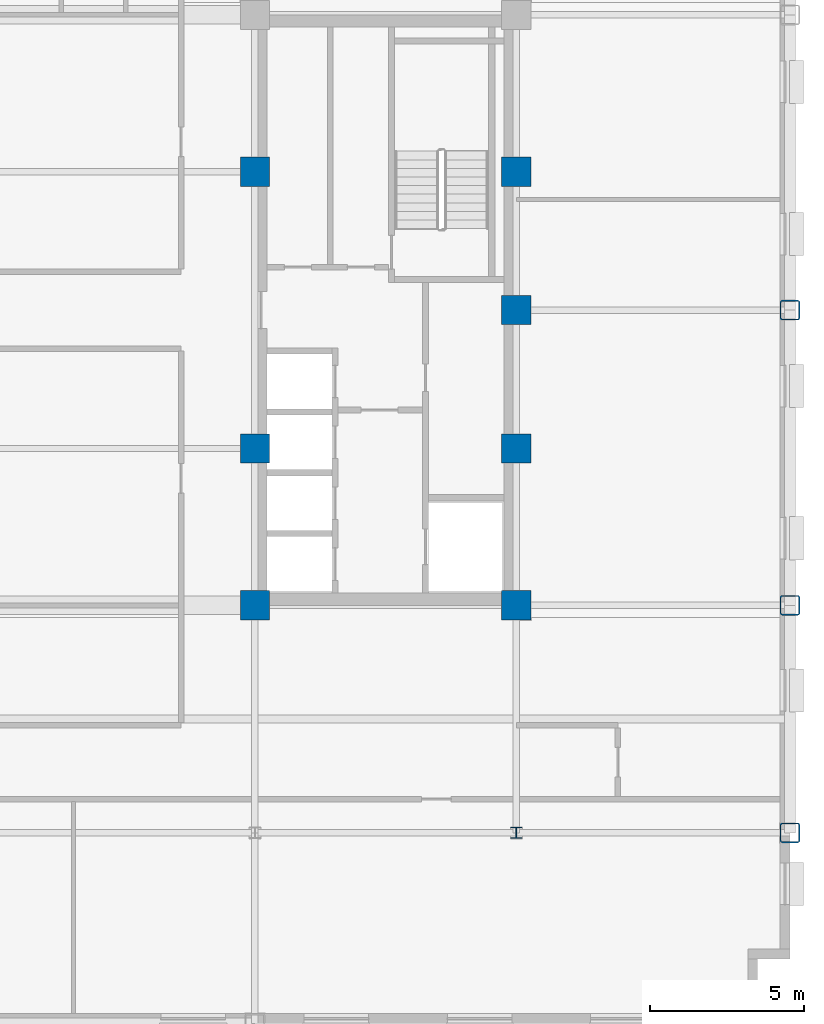
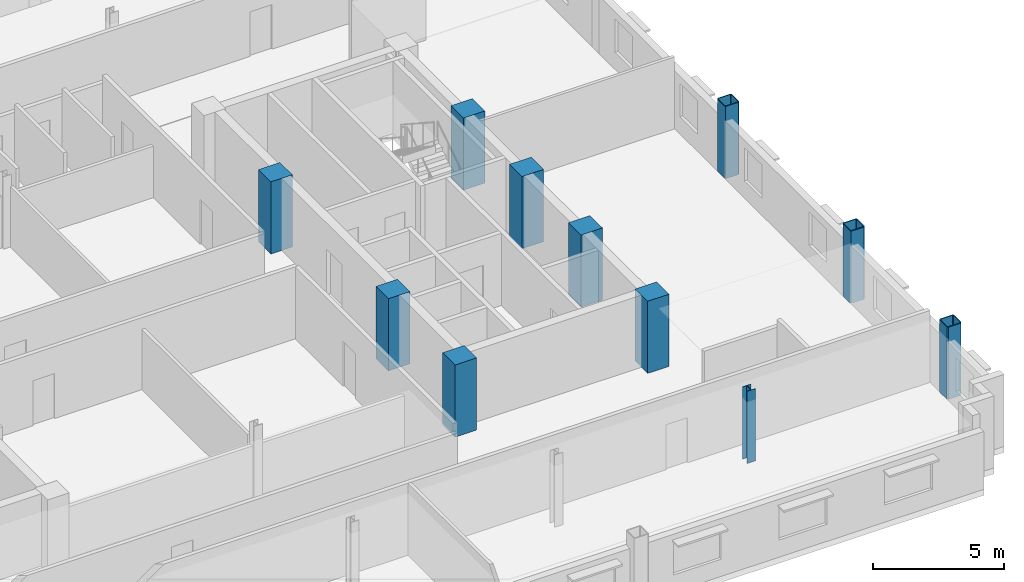
# One storey, part 2 of 14: 11 columns.
"""IFC4 building model written with IfcOpenShell, lengths in metres."""

from ifc_helpers import new_model, si_unit, direction, frame, origin, origin_2d, place, context, subcontext, project, spatial, rectangle, hollow_rectangle, i_section, extrude, material, material_profile, profile_set, type_object, element, save


model = new_model("IFC4")

# Units and contexts
model_context = context("Model", 3, precision=1e-05, world=origin(), true_north=direction((0.0, 1.0)))
body_context = subcontext(model_context, "Body", "Model", "MODEL_VIEW")
ifc_project = project(units=[si_unit("LENGTHUNIT", "METRE"), si_unit("AREAUNIT", "SQUARE_METRE"), si_unit("VOLUMEUNIT", "CUBIC_METRE"), si_unit("PLANEANGLEUNIT", "RADIAN"), si_unit("MASSUNIT", "GRAM", prefix="KILO")], contexts=[model_context])

# Site, building, storey
site_placement = place(None, origin())
site = spatial("IfcSite", under=ifc_project, at=site_placement, CompositionType="ELEMENT")
building_placement = place(site_placement, origin())
building = spatial("IfcBuilding", under=site, at=building_placement, Name="Nuvemarco Arch Tower", CompositionType="ELEMENT")
storey_placement = place(building_placement, frame((0.0, 0.0, 145.75)))
storey = spatial("IfcBuildingStorey", under=building, at=storey_placement, Name="L38", CompositionType="ELEMENT", Elevation=145.75)

# Columns
ifc_material_1 = material(Name="Concrete C50/60", Category="concrete")
ifc_material_profile_1 = material_profile(ifc_material_1, rectangle(XDim=0.949951171875, YDim=0.949951171875, at=origin_2d()), Name="RC-COL-950x950")
ifc_profile_set_1 = profile_set([ifc_material_profile_1], Name="Concrete C50/60")
column_type_1 = type_object("IfcColumnType", Name="COL-CORE-950", PredefinedType="COLUMN", material=ifc_profile_set_1)
for number, where, z_axis, x_axis, name in (
    (1, (9.0, -9.60009765625, 0.0), (0.0, 0.0, 1.0), (1.0, 0.0, 0.0), "L38 column CC_+9.0_-9.6"),
    (2, (9.0, -4.5, 0.0), (0.0, 0.0, 1.0), (1.0, 0.0, 0.0), "L38 column CC_+9.0_-4.5"),
    (3, (9.0, 4.5, 0.0), (0.0, 0.0, 1.0), (1.0, 0.0, 0.0), "L38 column CC_+9.0_+4.5"),
    (4, (17.5, -9.60009765625, 0.0), (0.0, 0.0, 1.0), (1.0, 0.0, 0.0), "L38 column CC_+17.5_-9.6"),
    (5, (17.5, -4.5, 0.0), (0.0, 0.0, 1.0), (1.0, 0.0, 0.0), "L38 column CC_+17.5_-4.5"),
    (6, (17.5, 4.5, 0.0), (0.0, 0.0, 1.0), (1.0, 0.0, 0.0), "L38 column CC_+17.5_+4.5"),
    (7, (17.5, 0.0, 0.0), (0.0, 0.0, 1.0), (1.0, 0.0, 0.0), "L38 column CC_+17.5_+0.0"),
):
    element("IfcColumn", number, at=place(storey_placement, frame(where, z_axis=z_axis, x_axis=x_axis)), inside=storey, type_object=column_type_1, Name=name, PredefinedType="COLUMN", context=body_context, shape_type="SweptSolid", body=[
        extrude(rectangle(XDim=0.949951171875, YDim=0.949951171875, at=origin_2d()), origin(), (0.0, 0.0, 1.0), 3.3701171875),
    ])
ifc_material_2 = material(Name="Steel S355", Category="steel")
ifc_material_profile_2 = material_profile(ifc_material_2, hollow_rectangle(XDim=0.64990234375, YDim=0.64990234375, WallThickness=0.0400390625, InnerFilletRadius=0.0400390625, OuterFilletRadius=0.080078125, at=origin_2d()), Name="SHS650x650x40")
ifc_profile_set_2 = profile_set([ifc_material_profile_2], Name="Steel S355")
column_type_2 = type_object("IfcColumnType", Name="COL-EXO-650", PredefinedType="COLUMN", material=ifc_profile_set_2)
for number, where, z_axis, x_axis, name in (
    (8, (26.39990234375, -17.0, 0.0), (0.0, 0.0, 1.0), (1.0, 0.0, 0.0), "L38 column CX_+26.4_-17.0"),
    (9, (26.39990234375, -9.60009765625, 0.0), (0.0, 0.0, 1.0), (1.0, 0.0, 0.0), "L38 column CX_+26.4_-9.6"),
    (10, (26.39990234375, 0.0, 0.0), (0.0, 0.0, 1.0), (1.0, 0.0, 0.0), "L38 column CX_+26.4_+0.0"),
):
    element("IfcColumn", number, at=place(storey_placement, frame(where, z_axis=z_axis, x_axis=x_axis)), inside=storey, type_object=column_type_2, Name=name, PredefinedType="COLUMN", context=body_context, shape_type="SweptSolid", body=[
        extrude(hollow_rectangle(XDim=0.64990234375, YDim=0.64990234375, WallThickness=0.0400390625, InnerFilletRadius=0.0400390625, OuterFilletRadius=0.080078125, at=origin_2d()), origin(), (0.0, 0.0, 1.0), 3.3701171875),
    ])
ifc_material_profile_3 = material_profile(ifc_material_2, i_section(OverallWidth=0.360107421875, OverallDepth=0.360107421875, WebThickness=0.0205078125, FlangeThickness=0.0205078125, FilletRadius=0.01806640625, at=origin_2d()), Name="HP360x174")
ifc_profile_set_3 = profile_set([ifc_material_profile_3], Name="Steel S355")
column_type_3 = type_object("IfcColumnType", Name="COL-STL-HP360", PredefinedType="COLUMN", material=ifc_profile_set_3)
column_placement = place(storey_placement, frame((17.5, -17.0, 0.0), z_axis=(0.0, 0.0, 1.0), x_axis=(1.0, 0.0, 0.0)))
element("IfcColumn", 11, at=column_placement, inside=storey, type_object=column_type_3, Name="L38 column CI_+17.5_-17.0", PredefinedType="COLUMN", context=body_context, shape_type="SweptSolid", body=[
    extrude(i_section(OverallWidth=0.360107421875, OverallDepth=0.360107421875, WebThickness=0.0205078125, FlangeThickness=0.0205078125, FilletRadius=0.01806640625, at=origin_2d()), origin(), (0.0, 0.0, 1.0), 3.3701171875),
])

save(model, "model.ifc")
